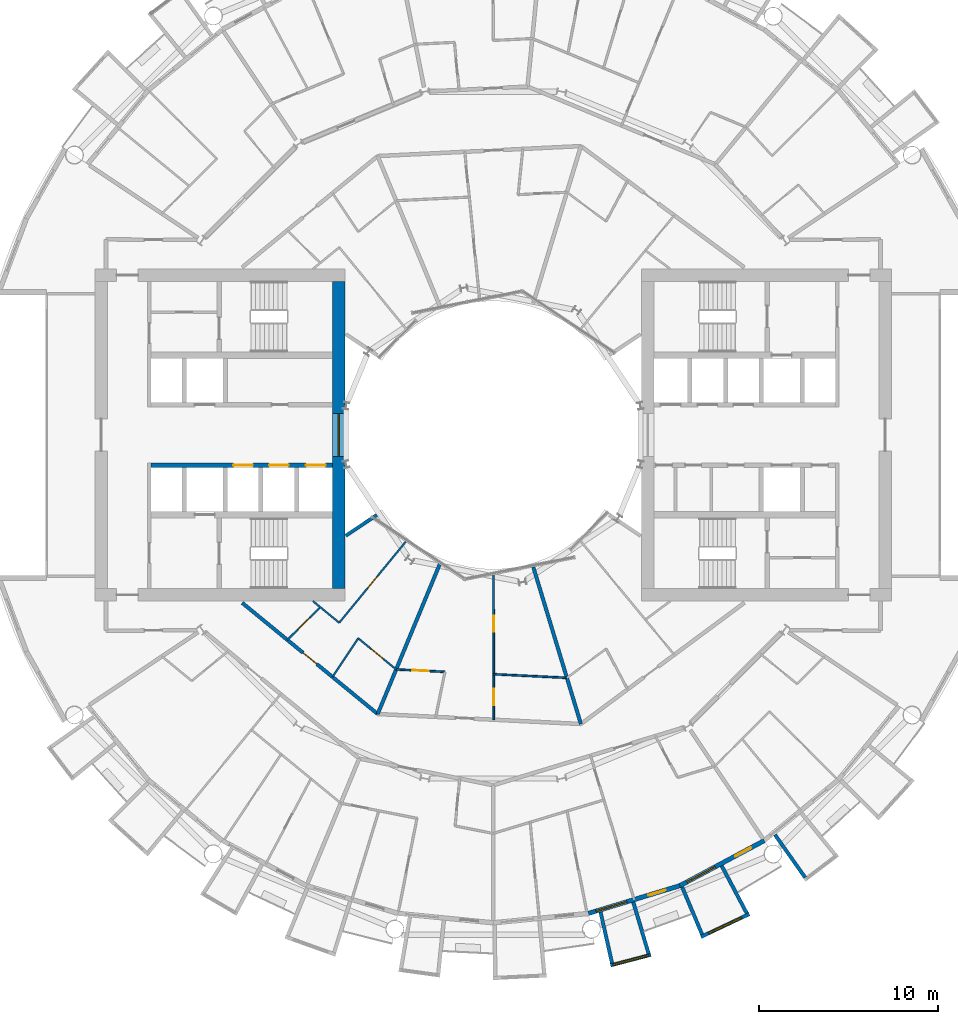
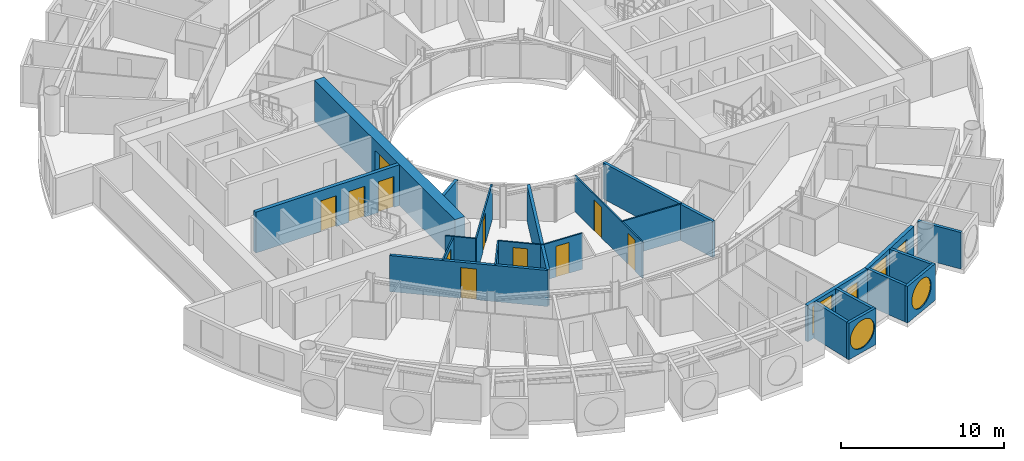
# One storey, part 15 of 26: 23 walls, 12 doors, 5 windows, 17 openings.
"""IFC4 building model written with IfcOpenShell, lengths in metres."""

from ifc_helpers import new_model, si_unit, direction, frame, frame_2d, origin, place, context, subcontext, project, spatial, rectangle, circle, extrude, material, layer, layer_set, type_object, element, fill, save


model = new_model("IFC4")

# Units and contexts
model_context = context("Model", 3, precision=1e-05, world=origin(), true_north=direction((0.0, 1.0)))
body_context = subcontext(model_context, "Body", "Model", "MODEL_VIEW")
ifc_project = project(units=[si_unit("LENGTHUNIT", "METRE"), si_unit("AREAUNIT", "SQUARE_METRE"), si_unit("VOLUMEUNIT", "CUBIC_METRE"), si_unit("PLANEANGLEUNIT", "RADIAN"), si_unit("MASSUNIT", "GRAM", prefix="KILO")], contexts=[model_context])

# Site, building, storey
site_placement = place(None, origin())
site = spatial("IfcSite", under=ifc_project, at=site_placement, CompositionType="ELEMENT")
building_placement = place(site_placement, origin())
building = spatial("IfcBuilding", under=site, at=building_placement, Name="Maasbend Ring Residences", CompositionType="ELEMENT")
storey_placement = place(building_placement, frame((0.0, 0.0, 72.75)))
storey = spatial("IfcBuildingStorey", under=building, at=storey_placement, Name="L20", CompositionType="ELEMENT", Elevation=72.75)

# Wall, openings, doors
ifc_material_1 = material(Name="Concrete C70/85", Category="concrete")
ifc_layer_1 = layer(ifc_material_1, 0.25)
ifc_layer_set_1 = layer_set([ifc_layer_1], Name="Concrete C70/85")
wall_type_1 = type_object("IfcWallType", Name="CORE WALL 250 C70/85", PredefinedType="SHEAR", material=ifc_layer_set_1)
wall_1_placement = place(storey_placement, frame((-9.0, -1.699951171875, 0.0), z_axis=(0.0, 0.0, 1.0), x_axis=(-1.0, 0.0, 0.0)))
wall_1 = element("IfcWall", 1, at=wall_1_placement, inside=storey, type_object=wall_type_1, Name="L20 core W wall SPN", PredefinedType="SHEAR", context=body_context, shape_type="SweptSolid", body=[
    extrude(rectangle(XDim=10.14990234375, YDim=0.25, at=frame_2d((5.074951171875, 0.0))), origin(), (0.0, 0.0, 1.0), 3.050048828125),
])
opening_1_placement = place(wall_1_placement, frame((0.387451171875, 0.0, 0.0)))
opening_1 = element("IfcOpeningElement", 2, at=opening_1_placement, cuts=wall_1, Name="Opening LD-W2001", PredefinedType="OPENING", context=body_context, shape_type="SweptSolid", body=[
    extrude(rectangle(XDim=1.10009765625, YDim=2.300048828125, at=frame_2d((0.550048828125, 1.14990234375))), frame((0.0, 0.135009765625, 0.0), z_axis=(0.0, -1.0, 0.0), x_axis=(1.0, 0.0, 0.0)), (0.0, 0.0, 1.0), 0.27001953125),
])
opening_2_placement = place(wall_1_placement, frame((2.449951171875, 0.0, 0.0)))
opening_2 = element("IfcOpeningElement", 3, at=opening_2_placement, cuts=wall_1, Name="Opening LD-W2002", PredefinedType="OPENING", context=body_context, shape_type="SweptSolid", body=[
    extrude(rectangle(XDim=1.10009765625, YDim=2.300048828125, at=frame_2d((0.550048828125, 1.14990234375))), frame((0.0, 0.135009765625, 0.0), z_axis=(0.0, -1.0, 0.0), x_axis=(1.0, 0.0, 0.0)), (0.0, 0.0, 1.0), 0.27001953125),
])
opening_3_placement = place(wall_1_placement, frame((4.449951171875, 0.0, 0.0)))
opening_3 = element("IfcOpeningElement", 4, at=opening_3_placement, cuts=wall_1, Name="Opening LD-W2003", PredefinedType="OPENING", context=body_context, shape_type="SweptSolid", body=[
    extrude(rectangle(XDim=1.10009765625, YDim=2.300048828125, at=frame_2d((0.550048828125, 1.14990234375))), frame((0.0, 0.135009765625, 0.0), z_axis=(0.0, -1.0, 0.0), x_axis=(1.0, 0.0, 0.0)), (0.0, 0.0, 1.0), 0.27001953125),
])
ifc_material_2 = material(Name="Stainless steel 316", Category="steel")
door_type_1 = type_object("IfcDoorType", Name="LANDING DOOR 1100 X 2300 FD60", OperationType="DOUBLE_DOOR_SLIDING", PredefinedType="DOOR", material=ifc_material_2)
door_1_placement = place(opening_1_placement, origin())
door_1 = element("IfcDoor", 5, at=door_1_placement, inside=storey, type_object=door_type_1, Name="Landing door LR-W1 L20", OperationType="DOUBLE_DOOR_SLIDING", OverallHeight=2.300048828125, OverallWidth=1.10009765625, PredefinedType="DOOR", context=body_context, shape_type="SweptSolid", body=[
    extrude(rectangle(XDim=1.10009765625, YDim=2.300048828125, at=frame_2d((0.550048828125, 1.14990234375))), frame((0.0, 0.02490234375, 0.0), z_axis=(0.0, -1.0, 0.0), x_axis=(1.0, 0.0, 0.0)), (0.0, 0.0, 1.0), 0.050048828125),
])
fill(opening_1, door_1)
door_2_placement = place(opening_2_placement, origin())
door_2 = element("IfcDoor", 6, at=door_2_placement, inside=storey, type_object=door_type_1, Name="Landing door LR-W2 L20", OperationType="DOUBLE_DOOR_SLIDING", OverallHeight=2.300048828125, OverallWidth=1.10009765625, PredefinedType="DOOR", context=body_context, shape_type="SweptSolid", body=[
    extrude(rectangle(XDim=1.10009765625, YDim=2.300048828125, at=frame_2d((0.550048828125, 1.14990234375))), frame((0.0, 0.02490234375, 0.0), z_axis=(0.0, -1.0, 0.0), x_axis=(1.0, 0.0, 0.0)), (0.0, 0.0, 1.0), 0.050048828125),
])
fill(opening_2, door_2)
door_3_placement = place(opening_3_placement, origin())
door_3 = element("IfcDoor", 7, at=door_3_placement, inside=storey, type_object=door_type_1, Name="Landing door LR-W3 L20", OperationType="DOUBLE_DOOR_SLIDING", OverallHeight=2.300048828125, OverallWidth=1.10009765625, PredefinedType="DOOR", context=body_context, shape_type="SweptSolid", body=[
    extrude(rectangle(XDim=1.10009765625, YDim=2.300048828125, at=frame_2d((0.550048828125, 1.14990234375))), frame((0.0, 0.02490234375, 0.0), z_axis=(0.0, -1.0, 0.0), x_axis=(1.0, 0.0, 0.0)), (0.0, 0.0, 1.0), 0.050048828125),
])
fill(opening_3, door_3)

# Wall, opening, window
ifc_material_3 = material(Name="Concrete C70/85", Category="concrete")
ifc_layer_2 = layer(ifc_material_3, 0.699951171875)
ifc_layer_set_2 = layer_set([ifc_layer_2], Name="Concrete C70/85")
wall_type_2 = type_object("IfcWallType", Name="CORE WALL 700 C70/85", PredefinedType="SHEAR", material=ifc_layer_set_2)
wall_2_placement = place(storey_placement, frame((-8.64990234375, 8.60009765625, 0.0), z_axis=(0.0, 0.0, 1.0), x_axis=(0.0, -1.0, 0.0)))
wall_2 = element("IfcWall", 8, at=wall_2_placement, inside=storey, type_object=wall_type_2, Name="L20 core W wall PIN", PredefinedType="SHEAR", context=body_context, shape_type="SweptSolid", body=[
    extrude(rectangle(XDim=17.2001953125, YDim=0.699951171875, at=frame_2d((8.60009765625, 0.0))), origin(), (0.0, 0.0, 1.0), 3.050048828125),
])
opening_4_placement = place(wall_2_placement, frame((7.39990234375, 0.0, 0.10009765625)))
opening_4 = element("IfcOpeningElement", 9, at=opening_4_placement, cuts=wall_2, Name="Opening W-W2001", PredefinedType="OPENING", context=body_context, shape_type="SweptSolid", body=[
    extrude(rectangle(XDim=2.39990234375, YDim=2.199951171875, at=frame_2d((1.199951171875, 1.10009765625))), frame((0.0, 0.35986328125, 0.0), z_axis=(0.0, -1.0, 0.0), x_axis=(1.0, 0.0, 0.0)), (0.0, 0.0, 1.0), 0.719970703125),
])
ifc_material_4 = material(Name="Aluminium frame and clear glass", Category="aluminium")
window_type_1 = type_object("IfcWindowType", Name="FIXED WINDOW 2400 X 2200", PartitioningType="SINGLE_PANEL", PredefinedType="WINDOW", material=ifc_material_4)
window_1_placement = place(opening_4_placement, origin())
window_1 = element("IfcWindow", 10, at=window_1_placement, inside=storey, type_object=window_type_1, Name="Lobby window L20", OverallHeight=2.199951171875, OverallWidth=2.39990234375, PartitioningType="SINGLE_PANEL", PredefinedType="WINDOW", context=body_context, shape_type="SweptSolid", body=[
    extrude(rectangle(XDim=2.39990234375, YDim=2.199951171875, at=frame_2d((1.199951171875, 1.10009765625))), frame((0.0, 0.030029296875, 0.0), z_axis=(0.0, -1.0, 0.0), x_axis=(1.0, 0.0, 0.0)), (0.0, 0.0, 1.0), 0.06005859375),
])
fill(opening_4, window_1)

# Wall, opening, door
ifc_material_5 = material(Name="Concrete C30/37", Category="concrete")
ifc_layer_3 = layer(ifc_material_5, 0.199951171875)
ifc_layer_set_3 = layer_set([ifc_layer_3], Name="Concrete C30/37")
wall_type_3 = type_object("IfcWallType", Name="CORRIDOR WALL 200 CONCRETE", PredefinedType="PARTITIONING", material=ifc_layer_set_3)
wall_3_placement = place(storey_placement, frame((-14.050048828125, -9.39208984375, 0.0), z_axis=(0.0, 0.0, 1.0), x_axis=(0.773074935257, -0.634314704605, 0.0)))
wall_3 = element("IfcWall", 11, at=wall_3_placement, inside=storey, type_object=wall_type_3, Name="U-L20-w015", PredefinedType="PARTITIONING", context=body_context, shape_type="SweptSolid", body=[
    extrude(rectangle(XDim=9.808837890625, YDim=0.199951171875, at=frame_2d((4.904296875, 0.0))), origin(), (0.0, 0.0, 1.0), 2.699951171875),
])
opening_5_placement = place(wall_3_placement, frame((4.402099609375, 0.0, 0.0)))
opening_5 = element("IfcOpeningElement", 12, at=opening_5_placement, cuts=wall_3, Name="Opening D-2053", PredefinedType="OPENING", context=body_context, shape_type="SweptSolid", body=[
    extrude(rectangle(XDim=1.0, YDim=2.300048828125, at=frame_2d((0.5, 1.14990234375))), frame((0.0, 0.10986328125, 0.0), z_axis=(0.0, -1.0, 0.0), x_axis=(1.0, 0.0, 0.0)), (0.0, 0.0, 1.0), 0.219970703125),
])
ifc_material_6 = material(Name="Timber, fire-rated, painted", Category="wood")
door_type_2 = type_object("IfcDoorType", Name="FLAT ENTRANCE DOOR 1000 X 2300 FIRE-RATED", OperationType="NOTDEFINED", PredefinedType="DOOR", material=ifc_material_6)
door_4_placement = place(opening_5_placement, origin())
door_4 = element("IfcDoor", 13, at=door_4_placement, inside=storey, type_object=door_type_2, Name="D-2053", OperationType="SINGLE_SWING_LEFT", OverallHeight=2.300048828125, OverallWidth=1.0, PredefinedType="DOOR", context=body_context, shape_type="SweptSolid", body=[
    extrude(rectangle(XDim=1.0, YDim=2.300048828125, at=frame_2d((0.5, 1.14990234375))), frame((0.0, 0.02490234375, 0.0), z_axis=(0.0, -1.0, 0.0), x_axis=(1.0, 0.0, 0.0)), (0.0, 0.0, 1.0), 0.050048828125),
])
fill(opening_5, door_4)

# Wall, opening, window
ifc_material_7 = material(Name="Pale anodised aluminium panel", Category="aluminium")
ifc_layer_4 = layer(ifc_material_7, 0.199951171875)
ifc_layer_set_4 = layer_set([ifc_layer_4], Name="EW-BOX")
wall_type_4 = type_object("IfcWallType", Name="EW-BOX", PredefinedType="SOLIDWALL", material=ifc_layer_set_4)
wall_4_placement = place(storey_placement, frame((6.568115234375, -29.681884765625, -0.030029296875), z_axis=(0.0, 0.0, 1.0), x_axis=(0.967377102346, 0.253340762326, 0.0)))
wall_4 = element("IfcWall", 14, at=wall_4_placement, inside=storey, type_object=wall_type_4, Name="Box front S13", PredefinedType="SOLIDWALL", context=body_context, shape_type="SweptSolid", body=[
    extrude(rectangle(XDim=2.3359375, YDim=0.199951171875, at=frame_2d((1.16796875, 0.0))), origin(), (0.0, 0.0, 1.0), 2.72998046875),
])
opening_6_placement = place(wall_4_placement, frame((0.128173828125, 0.0, 0.330078125)))
opening_6 = element("IfcOpeningElement", 15, at=opening_6_placement, cuts=wall_4, Name="Opening W-RD", PredefinedType="OPENING", context=body_context, shape_type="SweptSolid", body=[
    extrude(circle(Radius=1.0400390625, at=frame_2d((1.0400390625, 1.0400390625))), frame((0.0, 0.10986328125, 0.0), z_axis=(0.0, -1.0, 0.0), x_axis=(1.0, 0.0, 0.0)), (0.0, 0.0, 1.0), 0.219970703125),
])
ifc_material_8 = material(Name="Aluminium and clear glass", Category="aluminium")
window_type_2 = type_object("IfcWindowType", Name="W-RD", PartitioningType="SINGLE_PANEL", PredefinedType="WINDOW", material=ifc_material_8)
window_2_placement = place(opening_6_placement, origin())
window_2 = element("IfcWindow", 16, at=window_2_placement, inside=storey, type_object=window_type_2, Name="Round window S13", OverallHeight=2.080078125, OverallWidth=2.080078125, PartitioningType="SINGLE_PANEL", PredefinedType="WINDOW", context=body_context, shape_type="SweptSolid", body=[
    extrude(circle(Radius=1.0400390625, at=frame_2d((1.0400390625, 1.0400390625))), frame((0.0, 0.030029296875, 0.0), z_axis=(0.0, -1.0, 0.0), x_axis=(1.0, 0.0, 0.0)), (0.0, 0.0, 1.0), 0.06005859375),
])
fill(opening_6, window_2)

# Walls
wall_5_placement = place(storey_placement, frame((6.00390625, -26.699951171875, -0.030029296875), z_axis=(0.0, 0.0, 1.0), x_axis=(0.219609259383, -0.975587911566, 0.0)))
element("IfcWall", 17, at=wall_5_placement, inside=storey, type_object=wall_type_4, Name="Box side wall S13 left", PredefinedType="SOLIDWALL", context=body_context, shape_type="SweptSolid", body=[
    extrude(rectangle(XDim=2.9326171875, YDim=0.199951171875, at=frame_2d((1.46630859375, 0.0))), origin(), (0.0, 0.0, 1.0), 2.72998046875),
])
wall_6_placement = place(storey_placement, frame((7.8369140625, -26.14404296875, -0.030029296875), z_axis=(0.0, 0.0, 1.0), x_axis=(0.287064767992, -0.957911174889, 0.0)))
element("IfcWall", 18, at=wall_6_placement, inside=storey, type_object=wall_type_4, Name="Box side wall S13 right", PredefinedType="SOLIDWALL", context=body_context, shape_type="SweptSolid", body=[
    extrude(rectangle(XDim=3.00634765625, YDim=0.199951171875, at=frame_2d((1.503173828125, 0.0))), origin(), (0.0, 0.0, 1.0), 2.72998046875),
])

# Wall, opening, window
wall_7_placement = place(storey_placement, frame((11.62890625, -28.087890625, -0.030029296875), z_axis=(0.0, 0.0, 1.0), x_axis=(0.904000060331, 0.427532327342, 0.0)))
wall_7 = element("IfcWall", 19, at=wall_7_placement, inside=storey, type_object=wall_type_4, Name="Box front S15", PredefinedType="SOLIDWALL", context=body_context, shape_type="SweptSolid", body=[
    extrude(rectangle(XDim=2.993408203125, YDim=0.199951171875, at=frame_2d((1.49658203125, 0.0))), origin(), (0.0, 0.0, 1.0), 2.72998046875),
])
opening_7_placement = place(wall_7_placement, frame((0.45654296875, 0.0, 0.330078125)))
opening_7 = element("IfcOpeningElement", 20, at=opening_7_placement, cuts=wall_7, Name="Opening W-RD", PredefinedType="OPENING", context=body_context, shape_type="SweptSolid", body=[
    extrude(circle(Radius=1.0400390625, at=frame_2d((1.0400390625, 1.0400390625))), frame((0.0, 0.10986328125, 0.0), z_axis=(0.0, -1.0, 0.0), x_axis=(1.0, 0.0, 0.0)), (0.0, 0.0, 1.0), 0.219970703125),
])
window_3_placement = place(opening_7_placement, origin())
window_3 = element("IfcWindow", 21, at=window_3_placement, inside=storey, type_object=window_type_2, Name="Round window S15", OverallHeight=2.080078125, OverallWidth=2.080078125, PartitioningType="SINGLE_PANEL", PredefinedType="WINDOW", context=body_context, shape_type="SweptSolid", body=[
    extrude(circle(Radius=1.0400390625, at=frame_2d((1.0400390625, 1.0400390625))), frame((0.0, 0.030029296875, 0.0), z_axis=(0.0, -1.0, 0.0), x_axis=(1.0, 0.0, 0.0)), (0.0, 0.0, 1.0), 0.06005859375),
])
fill(opening_7, window_3)

# Walls
wall_8_placement = place(storey_placement, frame((10.574951171875, -25.294921875, -0.030029296875), z_axis=(0.0, 0.0, 1.0), x_axis=(0.385697364644, -0.922625353492, 0.0)))
element("IfcWall", 22, at=wall_8_placement, inside=storey, type_object=wall_type_4, Name="Box side wall S15 left", PredefinedType="SOLIDWALL", context=body_context, shape_type="SweptSolid", body=[
    extrude(rectangle(XDim=2.88330078125, YDim=0.199951171875, at=frame_2d((1.441650390625, 0.0))), origin(), (0.0, 0.0, 1.0), 2.72998046875),
])
wall_9_placement = place(storey_placement, frame((12.787109375, -24.113037109375, -0.030029296875), z_axis=(0.0, 0.0, 1.0), x_axis=(0.468365282436, -0.883534924159, 0.0)))
element("IfcWall", 23, at=wall_9_placement, inside=storey, type_object=wall_type_4, Name="Box side wall S15 right", PredefinedType="SOLIDWALL", context=body_context, shape_type="SweptSolid", body=[
    extrude(rectangle(XDim=3.006103515625, YDim=0.199951171875, at=frame_2d((1.5029296875, 0.0))), origin(), (0.0, 0.0, 1.0), 2.72998046875),
])
wall_10_placement = place(storey_placement, frame((15.764892578125, -22.3701171875, -0.030029296875), z_axis=(0.0, 0.0, 1.0), x_axis=(0.576274612209, -0.817256123454, 0.0)))
element("IfcWall", 24, at=wall_10_placement, inside=storey, type_object=wall_type_4, Name="Box side wall S17 left", PredefinedType="SOLIDWALL", context=body_context, shape_type="SweptSolid", body=[
    extrude(rectangle(XDim=2.932861328125, YDim=0.199951171875, at=frame_2d((1.46630859375, 0.0))), origin(), (0.0, 0.0, 1.0), 2.72998046875),
])

# Wall, openings, door, window
ifc_material_9 = material(Name="Aluminium clad insulated panel", Category="aluminium")
ifc_layer_5 = layer(ifc_material_9, 0.25)
ifc_layer_set_5 = layer_set([ifc_layer_5], Name="EW-GL")
wall_type_5 = type_object("IfcWallType", Name="EW-GL", PredefinedType="SOLIDWALL", material=ifc_layer_set_5)
wall_11_placement = place(storey_placement, frame((5.325927734375, -26.77490234375, 0.0), z_axis=(0.0, 0.0, 1.0), x_axis=(0.956965678721, 0.290201119486, 0.0)))
wall_11 = element("IfcWall", 25, at=wall_11_placement, inside=storey, type_object=wall_type_5, Name="External wall S07", PredefinedType="SOLIDWALL", context=body_context, shape_type="SweptSolid", body=[
    extrude(rectangle(XDim=5.351318359375, YDim=0.25, at=frame_2d((2.67578125, 0.0))), origin(), (0.0, 0.0, 1.0), 2.699951171875),
])
opening_8_placement = place(wall_11_placement, frame((0.441162109375, 0.0, 0.300048828125)))
opening_8 = element("IfcOpeningElement", 26, at=opening_8_placement, cuts=wall_11, Name="Opening W-BX", PredefinedType="OPENING", context=body_context, shape_type="SweptSolid", body=[
    extrude(rectangle(XDim=1.800048828125, YDim=2.10009765625, at=frame_2d((0.89990234375, 1.050048828125))), frame((0.0, 0.135009765625, 0.0), z_axis=(0.0, -1.0, 0.0), x_axis=(1.0, 0.0, 0.0)), (0.0, 0.0, 1.0), 0.27001953125),
])
opening_9_placement = place(wall_11_placement, frame((3.510498046875, 0.0, 0.0)))
opening_9 = element("IfcOpeningElement", 27, at=opening_9_placement, cuts=wall_11, Name="Opening D-LG", PredefinedType="OPENING", context=body_context, shape_type="SweptSolid", body=[
    extrude(rectangle(XDim=1.0, YDim=2.199951171875, at=frame_2d((0.5, 1.10009765625))), frame((0.0, 0.135009765625, 0.0), z_axis=(0.0, -1.0, 0.0), x_axis=(1.0, 0.0, 0.0)), (0.0, 0.0, 1.0), 0.27001953125),
])
ifc_material_10 = material(Name="Aluminium and clear glass", Category="aluminium")
door_type_3 = type_object("IfcDoorType", Name="D-LG", OperationType="SINGLE_SWING_LEFT", PredefinedType="DOOR", material=ifc_material_10)
door_5_placement = place(opening_9_placement, origin())
door_5 = element("IfcDoor", 28, at=door_5_placement, inside=storey, type_object=door_type_3, Name="Loggia door S14", OperationType="SINGLE_SWING_LEFT", OverallHeight=2.199951171875, OverallWidth=1.0, PredefinedType="DOOR", context=body_context, shape_type="SweptSolid", body=[
    extrude(rectangle(XDim=1.0, YDim=2.199951171875, at=frame_2d((0.5, 1.10009765625))), frame((0.0, 0.02490234375, 0.0), z_axis=(0.0, -1.0, 0.0), x_axis=(1.0, 0.0, 0.0)), (0.0, 0.0, 1.0), 0.050048828125),
])
fill(opening_9, door_5)
ifc_material_11 = material(Name="Aluminium and clear glass", Category="aluminium")
window_type_3 = type_object("IfcWindowType", Name="W-BX", PartitioningType="DOUBLE_PANEL_VERTICAL", PredefinedType="WINDOW", material=ifc_material_11)
window_4_placement = place(opening_8_placement, origin())
window_4 = element("IfcWindow", 29, at=window_4_placement, inside=storey, type_object=window_type_3, Name="Window S13 room to box", OverallHeight=2.10009765625, OverallWidth=1.800048828125, PartitioningType="SINGLE_PANEL", PredefinedType="WINDOW", context=body_context, shape_type="SweptSolid", body=[
    extrude(rectangle(XDim=1.800048828125, YDim=2.10009765625, at=frame_2d((0.89990234375, 1.050048828125))), frame((0.0, 0.030029296875, 0.0), z_axis=(0.0, -1.0, 0.0), x_axis=(1.0, 0.0, 0.0)), (0.0, 0.0, 1.0), 0.06005859375),
])
fill(opening_8, window_4)

wall_12_placement = place(storey_placement, frame((10.447021484375, -25.221923828125, 0.0), z_axis=(0.0, 0.0, 1.0), x_axis=(0.881915646801, 0.471407246368, 0.0)))
wall_12 = element("IfcWall", 30, at=wall_12_placement, inside=storey, type_object=wall_type_5, Name="External wall S08", PredefinedType="SOLIDWALL", context=body_context, shape_type="SweptSolid", body=[
    extrude(rectangle(XDim=5.35205078125, YDim=0.25, at=frame_2d((2.676025390625, 0.0))), origin(), (0.0, 0.0, 1.0), 2.699951171875),
])
opening_10_placement = place(wall_12_placement, frame((0.441162109375, 0.0, 0.300048828125)))
opening_10 = element("IfcOpeningElement", 31, at=opening_10_placement, cuts=wall_12, Name="Opening W-BX", PredefinedType="OPENING", context=body_context, shape_type="SweptSolid", body=[
    extrude(rectangle(XDim=1.800048828125, YDim=2.10009765625, at=frame_2d((0.89990234375, 1.050048828125))), frame((0.0, 0.135009765625, 0.0), z_axis=(0.0, -1.0, 0.0), x_axis=(1.0, 0.0, 0.0)), (0.0, 0.0, 1.0), 0.27001953125),
])
opening_11_placement = place(wall_12_placement, frame((3.510498046875, 0.0, 0.0)))
opening_11 = element("IfcOpeningElement", 32, at=opening_11_placement, cuts=wall_12, Name="Opening D-LG", PredefinedType="OPENING", context=body_context, shape_type="SweptSolid", body=[
    extrude(rectangle(XDim=1.0, YDim=2.199951171875, at=frame_2d((0.5, 1.10009765625))), frame((0.0, 0.135009765625, 0.0), z_axis=(0.0, -1.0, 0.0), x_axis=(1.0, 0.0, 0.0)), (0.0, 0.0, 1.0), 0.27001953125),
])
door_6_placement = place(opening_11_placement, origin())
door_6 = element("IfcDoor", 33, at=door_6_placement, inside=storey, type_object=door_type_3, Name="Loggia door S16", OperationType="SINGLE_SWING_LEFT", OverallHeight=2.199951171875, OverallWidth=1.0, PredefinedType="DOOR", context=body_context, shape_type="SweptSolid", body=[
    extrude(rectangle(XDim=1.0, YDim=2.199951171875, at=frame_2d((0.5, 1.10009765625))), frame((0.0, 0.02490234375, 0.0), z_axis=(0.0, -1.0, 0.0), x_axis=(1.0, 0.0, 0.0)), (0.0, 0.0, 1.0), 0.050048828125),
])
fill(opening_11, door_6)
window_5_placement = place(opening_10_placement, origin())
window_5 = element("IfcWindow", 34, at=window_5_placement, inside=storey, type_object=window_type_3, Name="Window S15 room to box", OverallHeight=2.10009765625, OverallWidth=1.800048828125, PartitioningType="SINGLE_PANEL", PredefinedType="WINDOW", context=body_context, shape_type="SweptSolid", body=[
    extrude(rectangle(XDim=1.800048828125, YDim=2.10009765625, at=frame_2d((0.89990234375, 1.050048828125))), frame((0.0, 0.030029296875, 0.0), z_axis=(0.0, -1.0, 0.0), x_axis=(1.0, 0.0, 0.0)), (0.0, 0.0, 1.0), 0.06005859375),
])
fill(opening_10, window_5)

# Wall
ifc_material_12 = material(Name="Gypsum board on steel studs", Category="steel")
ifc_layer_6 = layer(ifc_material_12, 0.10009765625)
ifc_layer_set_6 = layer_set([ifc_layer_6], Name="PARTITION 100 GYPSUM")
wall_type_6 = type_object("IfcWallType", Name="PARTITION 100 GYPSUM", PredefinedType="PARTITIONING", material=ifc_layer_set_6)
wall_13_placement = place(storey_placement, frame((-10.093017578125, -9.2958984375, 0.0), z_axis=(0.0, 0.0, 1.0), x_axis=(0.772957368531, -0.6344579627, 0.0)))
element("IfcWall", 35, at=wall_13_placement, inside=storey, type_object=wall_type_6, Name="U-L20-w018", PredefinedType="PARTITIONING", context=body_context, shape_type="SweptSolid", body=[
    extrude(rectangle(XDim=1.905517578125, YDim=0.10009765625, at=frame_2d((0.95263671875, 0.0))), origin(), (0.0, 0.0, 1.0), 2.699951171875),
])

# Wall, opening, door
wall_14_placement = place(storey_placement, frame((-7.55810546875, -11.3759765625, 0.0), z_axis=(0.0, 0.0, 1.0), x_axis=(0.773049907698, -0.634345205868, 0.0)))
wall_14 = element("IfcWall", 36, at=wall_14_placement, inside=storey, type_object=wall_type_6, Name="U-L20-w019", PredefinedType="PARTITIONING", context=body_context, shape_type="SweptSolid", body=[
    extrude(rectangle(XDim=2.74755859375, YDim=0.10009765625, at=frame_2d((1.373779296875, 0.0))), origin(), (0.0, 0.0, 1.0), 2.699951171875),
])
opening_12_placement = place(wall_14_placement, frame((0.924072265625, 0.0, 0.0)))
opening_12 = element("IfcOpeningElement", 37, at=opening_12_placement, cuts=wall_14, Name="Opening D-2054", PredefinedType="OPENING", context=body_context, shape_type="SweptSolid", body=[
    extrude(rectangle(XDim=0.89990234375, YDim=2.300048828125, at=frame_2d((0.449951171875, 1.14990234375))), frame((0.0, 0.06005859375, 0.0), z_axis=(0.0, -1.0, 0.0), x_axis=(1.0, 0.0, 0.0)), (0.0, 0.0, 1.0), 0.1201171875),
])
ifc_material_13 = material(Name="Timber, painted", Category="wood")
door_type_4 = type_object("IfcDoorType", Name="INTERNAL DOOR 900 X 2300", OperationType="NOTDEFINED", PredefinedType="DOOR", material=ifc_material_13)
door_7_placement = place(opening_12_placement, origin())
door_7 = element("IfcDoor", 38, at=door_7_placement, inside=storey, type_object=door_type_4, Name="D-2054", OperationType="SINGLE_SWING_LEFT", OverallHeight=2.300048828125, OverallWidth=0.89990234375, PredefinedType="DOOR", context=body_context, shape_type="SweptSolid", body=[
    extrude(rectangle(XDim=0.89990234375, YDim=2.300048828125, at=frame_2d((0.449951171875, 1.14990234375))), frame((0.0, 0.02490234375, 0.0), z_axis=(0.0, -1.0, 0.0), x_axis=(1.0, 0.0, 0.0)), (0.0, 0.0, 1.0), 0.050048828125),
])
fill(opening_12, door_7)

wall_15_placement = place(storey_placement, frame((-5.43408203125, -13.118896484375, 0.0), z_axis=(0.0, 0.0, 1.0), x_axis=(0.998796928508, -0.049037695739, 0.0)))
wall_15 = element("IfcWall", 39, at=wall_15_placement, inside=storey, type_object=wall_type_6, Name="U-L20-w020", PredefinedType="PARTITIONING", context=body_context, shape_type="SweptSolid", body=[
    extrude(rectangle(XDim=2.733154296875, YDim=0.10009765625, at=frame_2d((1.36669921875, 0.0))), origin(), (0.0, 0.0, 1.0), 2.699951171875),
])
opening_13_placement = place(wall_15_placement, frame((0.9169921875, 0.0, 0.0)))
opening_13 = element("IfcOpeningElement", 40, at=opening_13_placement, cuts=wall_15, Name="Opening D-2058", PredefinedType="OPENING", context=body_context, shape_type="SweptSolid", body=[
    extrude(rectangle(XDim=0.89990234375, YDim=2.300048828125, at=frame_2d((0.449951171875, 1.14990234375))), frame((0.0, 0.06005859375, 0.0), z_axis=(0.0, -1.0, 0.0), x_axis=(1.0, 0.0, 0.0)), (0.0, 0.0, 1.0), 0.1201171875),
])
door_8_placement = place(opening_13_placement, origin())
door_8 = element("IfcDoor", 41, at=door_8_placement, inside=storey, type_object=door_type_4, Name="D-2058", OperationType="SINGLE_SWING_LEFT", OverallHeight=2.300048828125, OverallWidth=0.89990234375, PredefinedType="DOOR", context=body_context, shape_type="SweptSolid", body=[
    extrude(rectangle(XDim=0.89990234375, YDim=2.300048828125, at=frame_2d((0.449951171875, 1.14990234375))), frame((0.0, 0.02490234375, 0.0), z_axis=(0.0, -1.0, 0.0), x_axis=(1.0, 0.0, 0.0)), (0.0, 0.0, 1.0), 0.050048828125),
])
fill(opening_13, door_8)

# Wall
wall_16_placement = place(storey_placement, frame((0.030029296875, -13.386962890625, 0.0), z_axis=(0.0, 0.0, 1.0), x_axis=(0.998798386358, -0.049007993321, 0.0)))
element("IfcWall", 42, at=wall_16_placement, inside=storey, type_object=wall_type_6, Name="U-L20-w021", PredefinedType="PARTITIONING", context=body_context, shape_type="SweptSolid", body=[
    extrude(rectangle(XDim=4.099853515625, YDim=0.10009765625, at=frame_2d((2.0498046875, 0.0))), origin(), (0.0, 0.0, 1.0), 2.699951171875),
])

# Wall, opening, door
wall_17_placement = place(storey_placement, frame((-11.52392578125, -11.464111328125, 0.0), z_axis=(0.0, 0.0, 1.0), x_axis=(0.708796844581, 0.705412668665, 0.0)))
wall_17 = element("IfcWall", 43, at=wall_17_placement, inside=storey, type_object=wall_type_6, Name="U-L20-w041", PredefinedType="PARTITIONING", context=body_context, shape_type="SweptSolid", body=[
    extrude(rectangle(XDim=2.59716796875, YDim=0.10009765625, at=frame_2d((1.298583984375, 0.0))), origin(), (0.0, 0.0, 1.0), 2.699951171875),
])
opening_14_placement = place(wall_17_placement, frame((0.84912109375, 0.0, 0.0)))
opening_14 = element("IfcOpeningElement", 44, at=opening_14_placement, cuts=wall_17, Name="Opening D-2055", PredefinedType="OPENING", context=body_context, shape_type="SweptSolid", body=[
    extrude(rectangle(XDim=0.89990234375, YDim=2.300048828125, at=frame_2d((0.449951171875, 1.14990234375))), frame((0.0, 0.06005859375, 0.0), z_axis=(0.0, -1.0, 0.0), x_axis=(1.0, 0.0, 0.0)), (0.0, 0.0, 1.0), 0.1201171875),
])
door_9_placement = place(opening_14_placement, origin())
door_9 = element("IfcDoor", 45, at=door_9_placement, inside=storey, type_object=door_type_4, Name="D-2055", OperationType="SINGLE_SWING_RIGHT", OverallHeight=2.300048828125, OverallWidth=0.89990234375, PredefinedType="DOOR", context=body_context, shape_type="SweptSolid", body=[
    extrude(rectangle(XDim=0.89990234375, YDim=2.300048828125, at=frame_2d((0.449951171875, 1.14990234375))), frame((0.0, 0.02490234375, 0.0), z_axis=(0.0, -1.0, 0.0), x_axis=(1.0, 0.0, 0.0)), (0.0, 0.0, 1.0), 0.050048828125),
])
fill(opening_14, door_9)

# Wall
wall_18_placement = place(storey_placement, frame((-8.99609375, -13.5390625, 0.0), z_axis=(0.0, 0.0, 1.0), x_axis=(0.553615197403, 0.83277260594, 0.0)))
element("IfcWall", 46, at=wall_18_placement, inside=storey, type_object=wall_type_6, Name="U-L20-w045", PredefinedType="PARTITIONING", context=body_context, shape_type="SweptSolid", body=[
    extrude(rectangle(XDim=2.597412109375, YDim=0.10009765625, at=frame_2d((1.298828125, 0.0))), origin(), (0.0, 0.0, 1.0), 2.699951171875),
])

# Wall, opening, door
wall_19_placement = place(storey_placement, frame((-8.6201171875, -10.50390625, 0.0), z_axis=(0.0, 0.0, 1.0), x_axis=(0.634539754242, 0.772890225249, 0.0)))
wall_19 = element("IfcWall", 47, at=wall_19_placement, inside=storey, type_object=wall_type_6, Name="U-L20-w047", PredefinedType="PARTITIONING", context=body_context, shape_type="SweptSolid", body=[
    extrude(rectangle(XDim=5.867431640625, YDim=0.10009765625, at=frame_2d((2.93359375, 0.0))), origin(), (0.0, 0.0, 1.0), 2.699951171875),
])
opening_15_placement = place(wall_19_placement, frame((2.48388671875, 0.0, 0.0)))
opening_15 = element("IfcOpeningElement", 48, at=opening_15_placement, cuts=wall_19, Name="Opening D-2056", PredefinedType="OPENING", context=body_context, shape_type="SweptSolid", body=[
    extrude(rectangle(XDim=0.89990234375, YDim=2.300048828125, at=frame_2d((0.449951171875, 1.14990234375))), frame((0.0, 0.06005859375, 0.0), z_axis=(0.0, -1.0, 0.0), x_axis=(1.0, 0.0, 0.0)), (0.0, 0.0, 1.0), 0.1201171875),
])
door_10_placement = place(opening_15_placement, origin())
door_10 = element("IfcDoor", 49, at=door_10_placement, inside=storey, type_object=door_type_4, Name="D-2056", OperationType="SINGLE_SWING_RIGHT", OverallHeight=2.300048828125, OverallWidth=0.89990234375, PredefinedType="DOOR", context=body_context, shape_type="SweptSolid", body=[
    extrude(rectangle(XDim=0.89990234375, YDim=2.300048828125, at=frame_2d((0.449951171875, 1.14990234375))), frame((0.0, 0.02490234375, 0.0), z_axis=(0.0, -1.0, 0.0), x_axis=(1.0, 0.0, 0.0)), (0.0, 0.0, 1.0), 0.050048828125),
])
fill(opening_15, door_10)

# Wall, openings, doors
wall_20_placement = place(storey_placement, frame((0.031982421875, -15.93310546875, 0.0), z_axis=(0.0, 0.0, 1.0), x_axis=(-0.0019321625, 0.999998133372, 0.0)))
wall_20 = element("IfcWall", 50, at=wall_20_placement, inside=storey, type_object=wall_type_6, Name="U-L20-w061", PredefinedType="PARTITIONING", context=body_context, shape_type="SweptSolid", body=[
    extrude(rectangle(XDim=8.213134765625, YDim=0.10009765625, at=frame_2d((4.1064453125, 0.0))), origin(), (0.0, 0.0, 1.0), 2.699951171875),
])
opening_16_placement = place(wall_20_placement, frame((0.822998046875, 0.0, 0.0)))
opening_16 = element("IfcOpeningElement", 51, at=opening_16_placement, cuts=wall_20, Name="Opening D-2059", PredefinedType="OPENING", context=body_context, shape_type="SweptSolid", body=[
    extrude(rectangle(XDim=0.89990234375, YDim=2.300048828125, at=frame_2d((0.449951171875, 1.14990234375))), frame((0.0, 0.06005859375, 0.0), z_axis=(0.0, -1.0, 0.0), x_axis=(1.0, 0.0, 0.0)), (0.0, 0.0, 1.0), 0.1201171875),
])
opening_17_placement = place(wall_20_placement, frame((4.929931640625, 0.0, 0.0)))
opening_17 = element("IfcOpeningElement", 52, at=opening_17_placement, cuts=wall_20, Name="Opening D-2060", PredefinedType="OPENING", context=body_context, shape_type="SweptSolid", body=[
    extrude(rectangle(XDim=0.89990234375, YDim=2.300048828125, at=frame_2d((0.449951171875, 1.14990234375))), frame((0.0, 0.06005859375, 0.0), z_axis=(0.0, -1.0, 0.0), x_axis=(1.0, 0.0, 0.0)), (0.0, 0.0, 1.0), 0.1201171875),
])
door_11_placement = place(opening_16_placement, origin())
door_11 = element("IfcDoor", 53, at=door_11_placement, inside=storey, type_object=door_type_4, Name="D-2059", OperationType="SINGLE_SWING_LEFT", OverallHeight=2.300048828125, OverallWidth=0.89990234375, PredefinedType="DOOR", context=body_context, shape_type="SweptSolid", body=[
    extrude(rectangle(XDim=0.89990234375, YDim=2.300048828125, at=frame_2d((0.449951171875, 1.14990234375))), frame((0.0, 0.02490234375, 0.0), z_axis=(0.0, -1.0, 0.0), x_axis=(1.0, 0.0, 0.0)), (0.0, 0.0, 1.0), 0.050048828125),
])
fill(opening_16, door_11)
door_12_placement = place(opening_17_placement, origin())
door_12 = element("IfcDoor", 54, at=door_12_placement, inside=storey, type_object=door_type_4, Name="D-2060", OperationType="SINGLE_SWING_RIGHT", OverallHeight=2.300048828125, OverallWidth=0.89990234375, PredefinedType="DOOR", context=body_context, shape_type="SweptSolid", body=[
    extrude(rectangle(XDim=0.89990234375, YDim=2.300048828125, at=frame_2d((0.449951171875, 1.14990234375))), frame((0.0, 0.02490234375, 0.0), z_axis=(0.0, -1.0, 0.0), x_axis=(1.0, 0.0, 0.0)), (0.0, 0.0, 1.0), 0.050048828125),
])
fill(opening_17, door_12)

# Walls
ifc_material_14 = material(Name="Concrete C30/37", Category="concrete")
ifc_layer_7 = layer(ifc_material_14, 0.199951171875)
ifc_layer_set_7 = layer_set([ifc_layer_7], Name="Concrete C30/37")
wall_type_7 = type_object("IfcWallType", Name="PARTY WALL 200 CONCRETE", PredefinedType="PARTITIONING", material=ifc_layer_set_7)
wall_21_placement = place(storey_placement, frame((-6.512939453125, -4.471923828125, 0.0), z_axis=(0.0, 0.0, 1.0), x_axis=(-0.831382204863, -0.555701025225, 0.0)))
element("IfcWall", 55, at=wall_21_placement, inside=storey, type_object=wall_type_7, Name="U-L20-w026", PredefinedType="PARTITIONING", context=body_context, shape_type="SweptSolid", body=[
    extrude(rectangle(XDim=2.08203125, YDim=0.199951171875, at=frame_2d((1.041015625, 0.0))), origin(), (0.0, 0.0, 1.0), 2.699951171875),
])
wall_22_placement = place(storey_placement, frame((-6.467041015625, -15.614013671875, 0.0), z_axis=(0.0, 0.0, 1.0), x_axis=(0.382646942224, 0.923894646378, 0.0)))
element("IfcWall", 56, at=wall_22_placement, inside=storey, type_object=wall_type_7, Name="U-L20-w051", PredefinedType="PARTITIONING", context=body_context, shape_type="SweptSolid", body=[
    extrude(rectangle(XDim=9.1806640625, YDim=0.199951171875, at=frame_2d((4.59033203125, 0.0))), origin(), (0.0, 0.0, 1.0), 2.699951171875),
])
wall_23_placement = place(storey_placement, frame((2.241943359375, -7.387939453125, 0.0), z_axis=(0.0, 0.0, 1.0), x_axis=(0.290225889812, -0.956958166736, 0.0)))
element("IfcWall", 57, at=wall_23_placement, inside=storey, type_object=wall_type_7, Name="U-L20-w066", PredefinedType="PARTITIONING", context=body_context, shape_type="SweptSolid", body=[
    extrude(rectangle(XDim=9.17919921875, YDim=0.199951171875, at=frame_2d((4.589599609375, 0.0))), origin(), (0.0, 0.0, 1.0), 2.699951171875),
])

save(model, "model.ifc")
